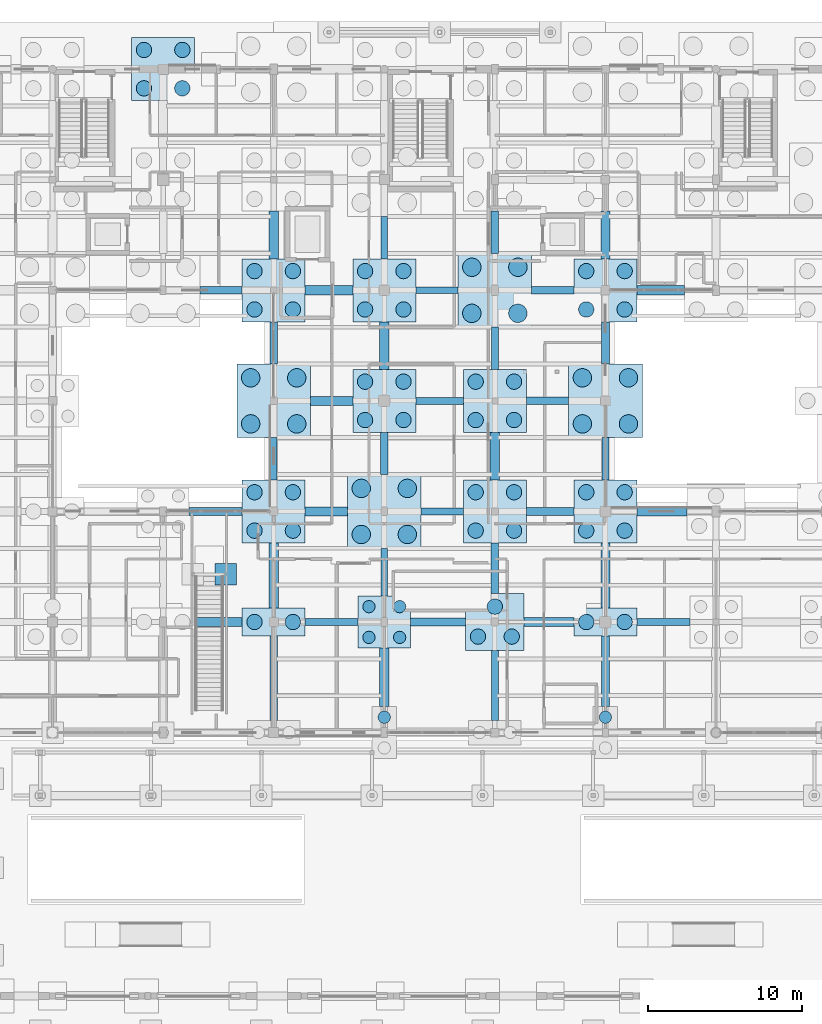
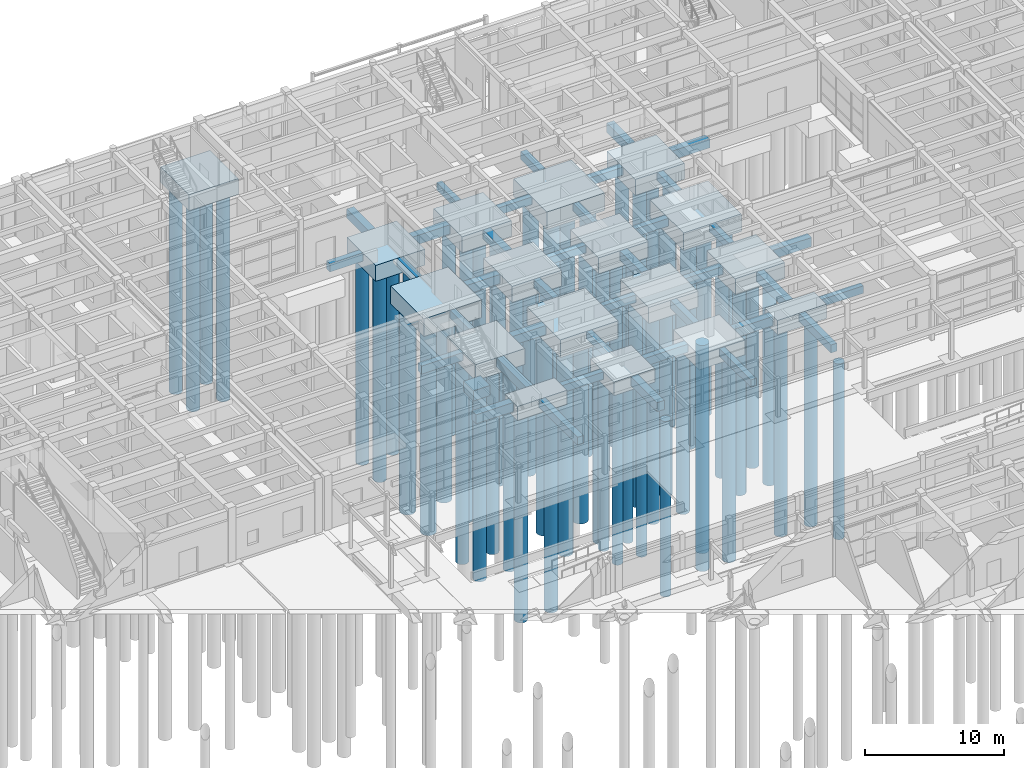
# One storey, part 8 of 143: 65 piles, 56 footings.
"""IFC4 building model written with IfcOpenShell, lengths in metres."""

import ifcopenshell
import ifcopenshell.guid

model = None  # the IFC model being written
_history = None  # IfcOwnerHistory: only IFC2X3 demands one
_inside = {}  # id of a spatial element -> (the spatial element, [elements in it])
_under = {}  # id of a project, library or spatial element -> (it, [spatial elements below it])
_declared = {}  # id of a project -> (the project, [libraries it declares])
_typed = {}  # id of a type object -> (the type object, [elements of that type])
_made_of = {}  # id of a material, layer set ... -> (it, [elements and type objects made of it])


def new_model(schema):
    """Start an empty IFC model of exactly this schema.

    Asked for "IFC4X3", IfcOpenShell would pick the latest addendum, in which some entities
    have other attributes; the version numbers below select the first issue.
    IFC2X3 requires an IfcOwnerHistory on every rooted entity: one is made here for all.
    """
    global model, _history
    if schema == "IFC4X3":
        model = ifcopenshell.file(schema_version=(4, 3, 0, 0))
    else:
        model = ifcopenshell.file(schema=schema)
    _inside.clear()
    _under.clear()
    _declared.clear()
    _typed.clear()
    _made_of.clear()
    _history = None
    if model.schema == "IFC2X3":
        org = make("IfcOrganization", Name="unknown")
        user = make(
            "IfcPersonAndOrganization",
            ThePerson=make("IfcPerson", FamilyName="unknown"),
            TheOrganization=org,
        )
        app = make(
            "IfcApplication",
            ApplicationDeveloper=org,
            Version="unknown",
            ApplicationFullName="unknown",
            ApplicationIdentifier="unknown",
        )
        _history = make(
            "IfcOwnerHistory",
            OwningUser=user,
            OwningApplication=app,
            ChangeAction="ADDED",
            CreationDate=0,
        )
    return model


def make(cls, **values):
    """One entity of the class cls with the attributes given. An attribute that is None is left unset."""
    return model.create_entity(
        cls, **{name: value for name, value in values.items() if value is not None}
    )


def rooted(cls, **values):
    """An entity with a GlobalId (a new one), such as an element, a storey or a relation."""
    return make(cls, GlobalId=ifcopenshell.guid.new(), OwnerHistory=_history, **values)


def si_unit(unit_type, name, prefix=None):
    """IfcSIUnit, for example si_unit("LENGTHUNIT", "METRE", prefix="MILLI")."""
    return make("IfcSIUnit", UnitType=unit_type, Prefix=prefix, Name=name)


def assignment(units):
    """IfcUnitAssignment: the units of a project."""
    return None if units is None else make("IfcUnitAssignment", Units=units)


def point(xyz):
    """IfcCartesianPoint."""
    return None if xyz is None else make("IfcCartesianPoint", Coordinates=xyz)


def direction(xyz):
    """IfcDirection."""
    return None if xyz is None else make("IfcDirection", DirectionRatios=xyz)


def frame(location, z_axis=None, x_axis=None):
    """IfcAxis2Placement3D, a coordinate frame: its origin and axes. An axis left out is left unset."""
    return make(
        "IfcAxis2Placement3D",
        Location=point(location),
        Axis=direction(z_axis),
        RefDirection=direction(x_axis),
    )


def frame_2d(location, x_axis=None):
    """IfcAxis2Placement2D, a coordinate frame in the plane: its origin and x axis."""
    return make(
        "IfcAxis2Placement2D", Location=point(location), RefDirection=direction(x_axis)
    )


def origin():
    """The frame at (0, 0, 0) with its axes left unset."""
    return frame((0.0, 0.0, 0.0))


def origin_2d():
    """The frame at (0, 0) in the plane with its x axis left unset."""
    return frame_2d((0.0, 0.0))


def place(relative_to, where):
    """IfcLocalPlacement: puts the frame where relative to a parent placement (None: the world)."""
    return make(
        "IfcLocalPlacement", PlacementRelTo=relative_to, RelativePlacement=where
    )


def context(
    kind, dimensions, precision=None, world=None, true_north=None, identifier=None
):
    """IfcGeometricRepresentationContext, for example the 3D "Model" context."""
    return make(
        "IfcGeometricRepresentationContext",
        ContextIdentifier=identifier,
        ContextType=kind,
        CoordinateSpaceDimension=dimensions,
        Precision=precision,
        WorldCoordinateSystem=world,
        TrueNorth=true_north,
    )


def subcontext(parent, identifier, kind, view, scale=None):
    """IfcGeometricRepresentationSubContext, for example "Body" below "Model"."""
    return make(
        "IfcGeometricRepresentationSubContext",
        ContextIdentifier=identifier,
        ContextType=kind,
        ParentContext=parent,
        TargetScale=scale,
        TargetView=view,
    )


def project(units=None, contexts=None):
    """IfcProject with its units and contexts."""
    return rooted(
        "IfcProject",
        Name="project",
        RepresentationContexts=contexts,
        UnitsInContext=assignment(units),
    )


def spatial(cls, under=None, at=None, **own):
    """A site, building, storey or space (cls), placed at a placement, below another one or the project."""
    s = rooted(cls, ObjectPlacement=at, **own)
    if under is not None:
        _under.setdefault(under.id(), (under, []))[1].append(s)
    return s


def profile(cls, at=None, kind="AREA", **sizes):
    """A parametric profile (cls). Its sizes go by their IFC names, for example OverallWidth=200.0."""
    return make(cls, ProfileType=kind, Position=at, **sizes)


def rectangle(**sizes):
    """IfcRectangleProfileDef."""
    return profile("IfcRectangleProfileDef", **sizes)


def circle(**sizes):
    """IfcCircleProfileDef."""
    return profile("IfcCircleProfileDef", **sizes)


def extrude(swept, where, along, depth):
    """IfcExtrudedAreaSolid: the profile swept, set in the frame where, extruded along a direction by depth."""
    return make(
        "IfcExtrudedAreaSolid",
        SweptArea=swept,
        Position=where,
        ExtrudedDirection=direction(along),
        Depth=depth,
    )


def shape(context_of_items, identifier, shape_type, items):
    """IfcShapeRepresentation: the items that make up one representation, for example the "Body"."""
    return make(
        "IfcShapeRepresentation",
        ContextOfItems=context_of_items,
        RepresentationIdentifier=identifier,
        RepresentationType=shape_type,
        Items=items,
    )


def material(Name=None, Category=None):
    """IfcMaterial."""
    return make("IfcMaterial", Name=Name, Category=Category)


def material_profile(
    of_material, cross_section, Name=None, Category=None, Priority=None
):
    """IfcMaterialProfile: a cross section and its material."""
    return make(
        "IfcMaterialProfile",
        Name=Name,
        Material=of_material,
        Profile=cross_section,
        Priority=Priority,
        Category=Category,
    )


def profile_set(profiles, Name=None, composite=None):
    """IfcMaterialProfileSet."""
    return make(
        "IfcMaterialProfileSet",
        Name=Name,
        MaterialProfiles=profiles,
        CompositeProfile=composite,
    )


def made_of(thing, what):
    """Note that an element or type object is made of a material, layer set ...; save() writes the relation."""
    if what is not None:
        _made_of.setdefault(what.id(), (what, []))[1].append(thing)
    return thing


def type_object(cls, material=None, **own):
    """A type object (cls), such as IfcWallType, which elements share."""
    return made_of(rooted(cls, **own), material)


def element(
    cls,
    number,
    at=None,
    inside=None,
    cuts=None,
    type_object=None,
    material=None,
    context=None,
    identifier="Body",
    shape_type=None,
    held_by="IfcProductDefinitionShape",
    body=None,
    shapes=None,
    **own,
):
    """One element of the class cls, such as IfcWall. Its Tag is "e" and its number.

    at: its placement. inside: the storey or other place that contains it. cuts: it is an
    opening in that element (IfcRelVoidsElement). A single representation is given by context,
    identifier, shape_type and body (its items); several are given by shapes. held_by: the class
    of the entity that holds the representations. save() writes the other relations.
    """
    e = rooted(cls, Tag="e%d" % number, ObjectPlacement=at, **own)
    if body is not None:
        shapes = [shape(context, identifier, shape_type, body)]
    if shapes is not None:
        e.Representation = make(held_by, Representations=shapes)
    if inside is not None:
        _inside.setdefault(inside.id(), (inside, []))[1].append(e)
    if cuts is not None:
        rooted(
            "IfcRelVoidsElement", RelatingBuildingElement=cuts, RelatedOpeningElement=e
        )
    if type_object is not None:
        _typed.setdefault(type_object.id(), (type_object, []))[1].append(e)
    return made_of(e, material)


def aggregate(whole, parts):
    """IfcRelAggregates: a whole, such as a stair, and the parts it consists of."""
    return rooted("IfcRelAggregates", RelatingObject=whole, RelatedObjects=parts)


def save(model, path):
    """Write the relations noted so far, then the file.

    IfcRelAggregates (storeys below a building ...), IfcRelContainedInSpatialStructure (elements
    in a storey), IfcRelDefinesByType, IfcRelAssociatesMaterial and IfcRelDeclares: one each for
    every whole, place, type object, material and project.
    """
    for whole, parts in _under.values():
        aggregate(whole, parts)
    for where, things in _inside.values():
        rooted(
            "IfcRelContainedInSpatialStructure",
            RelatedElements=things,
            RelatingStructure=where,
        )
    for kind, things in _typed.values():
        rooted("IfcRelDefinesByType", RelatedObjects=things, RelatingType=kind)
    for what, things in _made_of.values():
        rooted("IfcRelAssociatesMaterial", RelatedObjects=things, RelatingMaterial=what)
    for by, libraries in _declared.values():
        rooted("IfcRelDeclares", RelatingContext=by, RelatedDefinitions=libraries)
    model.write(path)


model = new_model("IFC4")

# Units and contexts
model_context = context("Model", 3, precision=1e-05, world=origin(), true_north=direction((0.0, 1.0)))
body_context = subcontext(model_context, "Body", "Model", "MODEL_VIEW")
ifc_project = project(units=[si_unit("LENGTHUNIT", "METRE"), si_unit("AREAUNIT", "SQUARE_METRE"), si_unit("VOLUMEUNIT", "CUBIC_METRE"), si_unit("PLANEANGLEUNIT", "RADIAN"), si_unit("MASSUNIT", "GRAM", prefix="KILO")], contexts=[model_context])

# Site, building, storey
site_placement = place(None, origin())
site = spatial("IfcSite", under=ifc_project, at=site_placement, CompositionType="ELEMENT")
building_placement = place(site_placement, origin())
building = spatial("IfcBuilding", under=site, at=building_placement, Name="Steenspoor Specialist Clinic", CompositionType="ELEMENT")
storey_placement = place(building_placement, origin())
storey = spatial("IfcBuildingStorey", under=building, at=storey_placement, Name="L00", CompositionType="ELEMENT", Elevation=0.0)

# Footings
ifc_material = material(Name="Concrete C35/45", Category="concrete")
footing_type_1 = type_object("IfcFootingType", Name="FTG-PC-1P-700", PredefinedType="PILE_CAP", material=ifc_material)
footing_1_placement = place(storey_placement, frame((70.875, 75.449951171875, -0.89990234375), z_axis=(0.0, 0.0, 1.0), x_axis=(1.0, 0.0, 0.0)))
element("IfcFooting", 1, at=footing_1_placement, inside=storey, type_object=footing_type_1, Name="Feature Stair Pad ST-F02 R", PredefinedType="PILE_CAP", context=body_context, shape_type="SweptSolid", body=[
    extrude(rectangle(XDim=1.39990234375, YDim=1.39990234375, at=origin_2d()), origin(), (0.0, 0.0, 1.0), 0.89990234375),
])
footing_type_2 = type_object("IfcFootingType", Name="FTG-PC-2P-1000", PredefinedType="PILE_CAP", material=ifc_material)
for number, where, z_axis, x_axis, name in (
    (2, (74.0, 72.35009765625, -1.25), (0.0, 0.0, 1.0), (1.0, 0.0, 0.0), "Pile Cap FTG-PC-121"),
    (3, (95.60009765625, 72.35009765625, -1.25), (0.0, 0.0, 1.0), (1.0, 0.0, 0.0), "Pile Cap FTG-PC-142"),
):
    element("IfcFooting", number, at=place(storey_placement, frame(where, z_axis=z_axis, x_axis=x_axis)), inside=storey, type_object=footing_type_2, Name=name, PredefinedType="PILE_CAP", context=body_context, shape_type="SweptSolid", body=[
        extrude(rectangle(XDim=4.10009765625, YDim=1.800048828125, at=origin_2d()), origin(), (0.0, 0.0, 1.0), 1.25),
    ])
footing_type_3 = type_object("IfcFootingType", Name="FTG-PC-3P-1000", PredefinedType="PILE_CAP", material=ifc_material)
footing_2_placement = place(storey_placement, frame((88.39990234375, 72.35009765625, -1.2998046875), z_axis=(0.0, 0.0, 1.0), x_axis=(1.0, 0.0, 0.0)))
element("IfcFooting", 4, at=footing_2_placement, inside=storey, type_object=footing_type_3, Name="Pile Cap FTG-PC-135", PredefinedType="PILE_CAP", context=body_context, shape_type="SweptSolid", body=[
    extrude(rectangle(XDim=3.800048828125, YDim=3.699951171875, at=origin_2d()), origin(), (0.0, 0.0, 1.0), 1.300048828125),
])
footing_type_4 = type_object("IfcFootingType", Name="FTG-PC-4P-1000", PredefinedType="PILE_CAP", material=ifc_material)
for number, where, z_axis, x_axis, name in (
    (5, (66.800048828125, 108.35009765625, -1.39990234375), (0.0, 0.0, 1.0), (1.0, 0.0, 0.0), "Pile Cap FTG-PC-119"),
    (6, (74.0, 79.550048828125, -1.39990234375), (0.0, 0.0, 1.0), (1.0, 0.0, 0.0), "Pile Cap FTG-PC-122"),
    (7, (74.0, 93.949951171875, -1.39990234375), (0.0, 0.0, 1.0), (1.0, 0.0, 0.0), "Pile Cap FTG-PC-124"),
    (8, (81.199951171875, 86.75, -1.39990234375), (0.0, 0.0, 1.0), (1.0, 0.0, 0.0), "Pile Cap FTG-PC-130"),
    (9, (81.199951171875, 93.949951171875, -1.39990234375), (0.0, 0.0, 1.0), (1.0, 0.0, 0.0), "Pile Cap FTG-PC-131"),
    (10, (88.39990234375, 79.550048828125, -1.39990234375), (0.0, 0.0, 1.0), (1.0, 0.0, 0.0), "Pile Cap FTG-PC-136"),
    (11, (88.39990234375, 86.75, -1.39990234375), (0.0, 0.0, 1.0), (1.0, 0.0, 0.0), "Pile Cap FTG-PC-137"),
    (12, (95.60009765625, 79.550048828125, -1.39990234375), (0.0, 0.0, 1.0), (1.0, 0.0, 0.0), "Pile Cap FTG-PC-143"),
    (13, (95.60009765625, 93.949951171875, -1.39990234375), (0.0, 0.0, 1.0), (1.0, 0.0, 0.0), "Pile Cap FTG-PC-145"),
):
    element("IfcFooting", number, at=place(storey_placement, frame(where, z_axis=z_axis, x_axis=x_axis)), inside=storey, type_object=footing_type_4, Name=name, PredefinedType="PILE_CAP", context=body_context, shape_type="SweptSolid", body=[
        extrude(rectangle(XDim=4.10009765625, YDim=4.10009765625, at=origin_2d()), origin(), (0.0, 0.0, 1.0), 1.39990234375),
    ])
footing_type_5 = type_object("IfcFootingType", Name="FTG-PC-4P-1200", PredefinedType="PILE_CAP", material=ifc_material)
for number, where, z_axis, x_axis, name in (
    (14, (74.0, 86.75, -1.5498046875), (0.0, 0.0, 1.0), (1.0, 0.0, 0.0), "Pile Cap FTG-PC-123"),
    (15, (81.199951171875, 79.550048828125, -1.5498046875), (0.0, 0.0, 1.0), (1.0, 0.0, 0.0), "Pile Cap FTG-PC-129"),
    (16, (88.39990234375, 93.949951171875, -1.5498046875), (0.0, 0.0, 1.0), (1.0, 0.0, 0.0), "Pile Cap FTG-PC-138"),
    (17, (95.60009765625, 86.75, -1.5498046875), (0.0, 0.0, 1.0), (1.0, 0.0, 0.0), "Pile Cap FTG-PC-144"),
):
    element("IfcFooting", number, at=place(storey_placement, frame(where, z_axis=z_axis, x_axis=x_axis)), inside=storey, type_object=footing_type_5, Name=name, PredefinedType="PILE_CAP", context=body_context, shape_type="SweptSolid", body=[
        extrude(rectangle(XDim=4.800048828125, YDim=4.800048828125, at=origin_2d()), origin(), (0.0, 0.0, 1.0), 1.550048828125),
    ])
footing_type_6 = type_object("IfcFootingType", Name="FTG-PC-4P-800", PredefinedType="PILE_CAP", material=ifc_material)
footing_3_placement = place(storey_placement, frame((81.199951171875, 72.35009765625, -1.2001953125), z_axis=(0.0, 0.0, 1.0), x_axis=(1.0, 0.0, 0.0)))
element("IfcFooting", 18, at=footing_3_placement, inside=storey, type_object=footing_type_6, Name="Pile Cap FTG-PC-128", PredefinedType="PILE_CAP", context=body_context, shape_type="SweptSolid", body=[
    extrude(rectangle(XDim=3.39990234375, YDim=3.39990234375, at=origin_2d()), origin(), (0.0, 0.0, 1.0), 1.199951171875),
])
footing_type_7 = type_object("IfcFootingType", Name="FTG-TB-450X650", PredefinedType="FOOTING_BEAM", material=ifc_material)
for number, where, z_axis, x_axis, name in (
    (19, (77.77490234375, 72.35009765625, -0.64990234375), (0.0, 0.0, 1.0), (1.0, 0.0, 0.0), "Seismic Tie Beam FTG-TB-158"),
    (20, (99.375, 72.35009765625, -0.64990234375), (0.0, 0.0, 1.0), (1.0, 0.0, 0.0), "Seismic Tie Beam FTG-TB-161"),
):
    element("IfcFooting", number, at=place(storey_placement, frame(where, z_axis=z_axis, x_axis=x_axis)), inside=storey, type_object=footing_type_7, Name=name, PredefinedType="FOOTING_BEAM", context=body_context, shape_type="SweptSolid", body=[
        extrude(rectangle(XDim=3.449951171875, YDim=0.449951171875, at=origin_2d()), origin(), (0.0, 0.0, 1.0), 0.64990234375),
    ])
footing_4_placement = place(storey_placement, frame((84.97509765625, 79.550048828125, -0.64990234375), z_axis=(0.0, 0.0, 1.0), x_axis=(1.0, 0.0, 0.0)))
element("IfcFooting", 21, at=footing_4_placement, inside=storey, type_object=footing_type_7, Name="Seismic Tie Beam FTG-TB-179", PredefinedType="FOOTING_BEAM", context=body_context, shape_type="SweptSolid", body=[
    extrude(rectangle(XDim=2.75, YDim=0.449951171875, at=origin_2d()), origin(), (0.0, 0.0, 1.0), 0.64990234375),
])
footing_5_placement = place(storey_placement, frame((84.800048828125, 86.75, -0.64990234375), z_axis=(0.0, 0.0, 1.0), x_axis=(1.0, 0.0, 0.0)))
element("IfcFooting", 22, at=footing_5_placement, inside=storey, type_object=footing_type_7, Name="Seismic Tie Beam FTG-TB-197", PredefinedType="FOOTING_BEAM", context=body_context, shape_type="SweptSolid", body=[
    extrude(rectangle(XDim=3.10009765625, YDim=0.449951171875, at=origin_2d()), origin(), (0.0, 0.0, 1.0), 0.64990234375),
])
footing_6_placement = place(storey_placement, frame((84.625, 93.949951171875, -0.64990234375), z_axis=(0.0, 0.0, 1.0), x_axis=(1.0, 0.0, 0.0)))
element("IfcFooting", 23, at=footing_6_placement, inside=storey, type_object=footing_type_7, Name="Seismic Tie Beam FTG-TB-215", PredefinedType="FOOTING_BEAM", context=body_context, shape_type="SweptSolid", body=[
    extrude(rectangle(XDim=2.75, YDim=0.449951171875, at=origin_2d()), origin(), (0.0, 0.0, 1.0), 0.64990234375),
])
footing_7_placement = place(storey_placement, frame((74.0, 82.97509765625, -0.64990234375), z_axis=(0.0, 0.0, 1.0), x_axis=(1.0, 0.0, 0.0)))
element("IfcFooting", 24, at=footing_7_placement, inside=storey, type_object=footing_type_7, Name="Seismic Tie Beam FTG-TB-353", PredefinedType="FOOTING_BEAM", context=body_context, shape_type="SweptSolid", body=[
    extrude(rectangle(XDim=0.449951171875, YDim=2.75, at=origin_2d()), origin(), (0.0, 0.0, 1.0), 0.64990234375),
])
footing_8_placement = place(storey_placement, frame((81.199951171875, 75.60009765625, -0.64990234375), z_axis=(0.0, 0.0, 1.0), x_axis=(1.0, 0.0, 0.0)))
element("IfcFooting", 25, at=footing_8_placement, inside=storey, type_object=footing_type_7, Name="Seismic Tie Beam FTG-TB-362", PredefinedType="FOOTING_BEAM", context=body_context, shape_type="SweptSolid", body=[
    extrude(rectangle(XDim=0.449951171875, YDim=3.10009765625, at=origin_2d()), origin(), (0.0, 0.0, 1.0), 0.64990234375),
])
footing_9_placement = place(storey_placement, frame((81.199951171875, 97.375, -0.64990234375), z_axis=(0.0, 0.0, 1.0), x_axis=(1.0, 0.0, 0.0)))
element("IfcFooting", 26, at=footing_9_placement, inside=storey, type_object=footing_type_7, Name="Seismic Tie Beam FTG-TB-365", PredefinedType="FOOTING_BEAM", context=body_context, shape_type="SweptSolid", body=[
    extrude(rectangle(XDim=0.449951171875, YDim=2.75, at=origin_2d()), origin(), (0.0, 0.0, 1.0), 0.64990234375),
])
footing_10_placement = place(storey_placement, frame((88.39990234375, 68.22509765625, -0.64990234375), z_axis=(0.0, 0.0, 1.0), x_axis=(1.0, 0.0, 0.0)))
element("IfcFooting", 27, at=footing_10_placement, inside=storey, type_object=footing_type_7, Name="Seismic Tie Beam FTG-TB-371", PredefinedType="FOOTING_BEAM", context=body_context, shape_type="SweptSolid", body=[
    extrude(rectangle(XDim=0.449951171875, YDim=4.550048828125, at=origin_2d()), origin(), (0.0, 0.0, 1.0), 0.64990234375),
])
for number, where, z_axis, x_axis, name in (
    (28, (88.39990234375, 90.175048828125, -0.64990234375), (0.0, 0.0, 1.0), (1.0, 0.0, 0.0), "Seismic Tie Beam FTG-TB-374"),
    (29, (95.60009765625, 82.97509765625, -0.64990234375), (0.0, 0.0, 1.0), (1.0, 0.0, 0.0), "Seismic Tie Beam FTG-TB-383"),
):
    element("IfcFooting", number, at=place(storey_placement, frame(where, z_axis=z_axis, x_axis=x_axis)), inside=storey, type_object=footing_type_7, Name=name, PredefinedType="FOOTING_BEAM", context=body_context, shape_type="SweptSolid", body=[
        extrude(rectangle(XDim=0.449951171875, YDim=2.75, at=origin_2d()), origin(), (0.0, 0.0, 1.0), 0.64990234375),
    ])
footing_type_8 = type_object("IfcFootingType", Name="FTG-TB-500X700", PredefinedType="FOOTING_BEAM", material=ifc_material)
footing_11_placement = place(storey_placement, frame((84.699951171875, 72.35009765625, -0.7001953125), z_axis=(0.0, 0.0, 1.0), x_axis=(1.0, 0.0, 0.0)))
element("IfcFooting", 30, at=footing_11_placement, inside=storey, type_object=footing_type_8, Name="Seismic Tie Beam FTG-TB-159", PredefinedType="FOOTING_BEAM", context=body_context, shape_type="SweptSolid", body=[
    extrude(rectangle(XDim=3.60009765625, YDim=0.5, at=origin_2d()), origin(), (0.0, 0.0, 1.0), 0.699951171875),
])
footing_12_placement = place(storey_placement, frame((70.22509765625, 79.550048828125, -0.7001953125), z_axis=(0.0, 0.0, 1.0), x_axis=(1.0, 0.0, 0.0)))
element("IfcFooting", 31, at=footing_12_placement, inside=storey, type_object=footing_type_8, Name="Seismic Tie Beam FTG-TB-177", PredefinedType="FOOTING_BEAM", context=body_context, shape_type="SweptSolid", body=[
    extrude(rectangle(XDim=3.449951171875, YDim=0.5, at=origin_2d()), origin(), (0.0, 0.0, 1.0), 0.699951171875),
])
footing_13_placement = place(storey_placement, frame((92.0, 79.550048828125, -0.7001953125), z_axis=(0.0, 0.0, 1.0), x_axis=(1.0, 0.0, 0.0)))
element("IfcFooting", 32, at=footing_13_placement, inside=storey, type_object=footing_type_8, Name="Seismic Tie Beam FTG-TB-180", PredefinedType="FOOTING_BEAM", context=body_context, shape_type="SweptSolid", body=[
    extrude(rectangle(XDim=3.10009765625, YDim=0.5, at=origin_2d()), origin(), (0.0, 0.0, 1.0), 0.699951171875),
])
for number, where, z_axis, x_axis, name in (
    (33, (91.824951171875, 86.75, -0.7001953125), (0.0, 0.0, 1.0), (1.0, 0.0, 0.0), "Seismic Tie Beam FTG-TB-198"),
    (34, (70.574951171875, 93.949951171875, -0.7001953125), (0.0, 0.0, 1.0), (1.0, 0.0, 0.0), "Seismic Tie Beam FTG-TB-213"),
    (35, (92.175048828125, 93.949951171875, -0.7001953125), (0.0, 0.0, 1.0), (1.0, 0.0, 0.0), "Seismic Tie Beam FTG-TB-216"),
):
    element("IfcFooting", number, at=place(storey_placement, frame(where, z_axis=z_axis, x_axis=x_axis)), inside=storey, type_object=footing_type_8, Name=name, PredefinedType="FOOTING_BEAM", context=body_context, shape_type="SweptSolid", body=[
        extrude(rectangle(XDim=2.75, YDim=0.5, at=origin_2d()), origin(), (0.0, 0.0, 1.0), 0.699951171875),
    ])
footing_14_placement = place(storey_placement, frame((74.0, 68.699951171875, -0.7001953125), z_axis=(0.0, 0.0, 1.0), x_axis=(1.0, 0.0, 0.0)))
element("IfcFooting", 36, at=footing_14_placement, inside=storey, type_object=footing_type_8, Name="Seismic Tie Beam FTG-TB-351", PredefinedType="FOOTING_BEAM", context=body_context, shape_type="SweptSolid", body=[
    extrude(rectangle(XDim=0.5, YDim=5.5, at=origin_2d()), origin(), (0.0, 0.0, 1.0), 0.699951171875),
])
for number, where, z_axis, x_axis, name in (
    (37, (74.0, 90.52490234375, -0.7001953125), (0.0, 0.0, 1.0), (1.0, 0.0, 0.0), "Seismic Tie Beam FTG-TB-354"),
    (38, (81.199951171875, 83.324951171875, -0.7001953125), (0.0, 0.0, 1.0), (1.0, 0.0, 0.0), "Seismic Tie Beam FTG-TB-363"),
):
    element("IfcFooting", number, at=place(storey_placement, frame(where, z_axis=z_axis, x_axis=x_axis)), inside=storey, type_object=footing_type_8, Name=name, PredefinedType="FOOTING_BEAM", context=body_context, shape_type="SweptSolid", body=[
        extrude(rectangle(XDim=0.5, YDim=2.75, at=origin_2d()), origin(), (0.0, 0.0, 1.0), 0.699951171875),
    ])
footing_15_placement = place(storey_placement, frame((88.39990234375, 75.85009765625, -0.7001953125), z_axis=(0.0, 0.0, 1.0), x_axis=(1.0, 0.0, 0.0)))
element("IfcFooting", 39, at=footing_15_placement, inside=storey, type_object=footing_type_8, Name="Seismic Tie Beam FTG-TB-372", PredefinedType="FOOTING_BEAM", context=body_context, shape_type="SweptSolid", body=[
    extrude(rectangle(XDim=0.5, YDim=3.300048828125, at=origin_2d()), origin(), (0.0, 0.0, 1.0), 0.699951171875),
])
footing_16_placement = place(storey_placement, frame((88.39990234375, 97.72509765625, -0.7001953125), z_axis=(0.0, 0.0, 1.0), x_axis=(1.0, 0.0, 0.0)))
element("IfcFooting", 40, at=footing_16_placement, inside=storey, type_object=footing_type_8, Name="Seismic Tie Beam FTG-TB-375", PredefinedType="FOOTING_BEAM", context=body_context, shape_type="SweptSolid", body=[
    extrude(rectangle(XDim=0.5, YDim=2.75, at=origin_2d()), origin(), (0.0, 0.0, 1.0), 0.699951171875),
])
footing_17_placement = place(storey_placement, frame((95.60009765625, 69.14990234375, -0.7001953125), z_axis=(0.0, 0.0, 1.0), x_axis=(1.0, 0.0, 0.0)))
element("IfcFooting", 41, at=footing_17_placement, inside=storey, type_object=footing_type_8, Name="Seismic Tie Beam FTG-TB-381", PredefinedType="FOOTING_BEAM", context=body_context, shape_type="SweptSolid", body=[
    extrude(rectangle(XDim=0.5, YDim=4.60009765625, at=origin_2d()), origin(), (0.0, 0.0, 1.0), 0.699951171875),
])
footing_18_placement = place(storey_placement, frame((95.60009765625, 90.52490234375, -0.7001953125), z_axis=(0.0, 0.0, 1.0), x_axis=(1.0, 0.0, 0.0)))
element("IfcFooting", 42, at=footing_18_placement, inside=storey, type_object=footing_type_8, Name="Seismic Tie Beam FTG-TB-384", PredefinedType="FOOTING_BEAM", context=body_context, shape_type="SweptSolid", body=[
    extrude(rectangle(XDim=0.5, YDim=2.75, at=origin_2d()), origin(), (0.0, 0.0, 1.0), 0.699951171875),
])
footing_type_9 = type_object("IfcFootingType", Name="FTG-TB-600X800", PredefinedType="FOOTING_BEAM", material=ifc_material)
footing_19_placement = place(storey_placement, frame((70.39990234375, 72.35009765625, -0.7998046875), z_axis=(0.0, 0.0, 1.0), x_axis=(1.0, 0.0, 0.0)))
element("IfcFooting", 43, at=footing_19_placement, inside=storey, type_object=footing_type_9, Name="Seismic Tie Beam FTG-TB-157", PredefinedType="FOOTING_BEAM", context=body_context, shape_type="SweptSolid", body=[
    extrude(rectangle(XDim=3.10009765625, YDim=0.60009765625, at=origin_2d()), origin(), (0.0, 0.0, 1.0), 0.800048828125),
])
footing_20_placement = place(storey_placement, frame((91.925048828125, 72.35009765625, -0.7998046875), z_axis=(0.0, 0.0, 1.0), x_axis=(1.0, 0.0, 0.0)))
element("IfcFooting", 44, at=footing_20_placement, inside=storey, type_object=footing_type_9, Name="Seismic Tie Beam FTG-TB-160", PredefinedType="FOOTING_BEAM", context=body_context, shape_type="SweptSolid", body=[
    extrude(rectangle(XDim=3.25, YDim=0.60009765625, at=origin_2d()), origin(), (0.0, 0.0, 1.0), 0.800048828125),
])
footing_21_placement = place(storey_placement, frame((77.425048828125, 79.550048828125, -0.7998046875), z_axis=(0.0, 0.0, 1.0), x_axis=(1.0, 0.0, 0.0)))
element("IfcFooting", 45, at=footing_21_placement, inside=storey, type_object=footing_type_9, Name="Seismic Tie Beam FTG-TB-178", PredefinedType="FOOTING_BEAM", context=body_context, shape_type="SweptSolid", body=[
    extrude(rectangle(XDim=2.75, YDim=0.60009765625, at=origin_2d()), origin(), (0.0, 0.0, 1.0), 0.800048828125),
])
footing_22_placement = place(storey_placement, frame((99.27490234375, 79.550048828125, -0.7998046875), z_axis=(0.0, 0.0, 1.0), x_axis=(1.0, 0.0, 0.0)))
element("IfcFooting", 46, at=footing_22_placement, inside=storey, type_object=footing_type_9, Name="Seismic Tie Beam FTG-TB-181", PredefinedType="FOOTING_BEAM", context=body_context, shape_type="SweptSolid", body=[
    extrude(rectangle(XDim=3.25, YDim=0.60009765625, at=origin_2d()), origin(), (0.0, 0.0, 1.0), 0.800048828125),
])
footing_23_placement = place(storey_placement, frame((77.77490234375, 86.75, -0.7998046875), z_axis=(0.0, 0.0, 1.0), x_axis=(1.0, 0.0, 0.0)))
element("IfcFooting", 47, at=footing_23_placement, inside=storey, type_object=footing_type_9, Name="Seismic Tie Beam FTG-TB-196", PredefinedType="FOOTING_BEAM", context=body_context, shape_type="SweptSolid", body=[
    extrude(rectangle(XDim=2.75, YDim=0.60009765625, at=origin_2d()), origin(), (0.0, 0.0, 1.0), 0.800048828125),
])
for number, where, z_axis, x_axis, name in (
    (48, (77.60009765625, 93.949951171875, -0.7998046875), (0.0, 0.0, 1.0), (1.0, 0.0, 0.0), "Seismic Tie Beam FTG-TB-214"),
    (49, (99.199951171875, 93.949951171875, -0.7998046875), (0.0, 0.0, 1.0), (1.0, 0.0, 0.0), "Seismic Tie Beam FTG-TB-217"),
):
    element("IfcFooting", number, at=place(storey_placement, frame(where, z_axis=z_axis, x_axis=x_axis)), inside=storey, type_object=footing_type_9, Name=name, PredefinedType="FOOTING_BEAM", context=body_context, shape_type="SweptSolid", body=[
        extrude(rectangle(XDim=3.10009765625, YDim=0.60009765625, at=origin_2d()), origin(), (0.0, 0.0, 1.0), 0.800048828125),
    ])
footing_24_placement = place(storey_placement, frame((74.0, 75.375, -0.7998046875), z_axis=(0.0, 0.0, 1.0), x_axis=(1.0, 0.0, 0.0)))
element("IfcFooting", 50, at=footing_24_placement, inside=storey, type_object=footing_type_9, Name="Seismic Tie Beam FTG-TB-352", PredefinedType="FOOTING_BEAM", context=body_context, shape_type="SweptSolid", body=[
    extrude(rectangle(XDim=0.60009765625, YDim=4.25, at=origin_2d()), origin(), (0.0, 0.0, 1.0), 0.800048828125),
])
footing_25_placement = place(storey_placement, frame((74.0, 97.550048828125, -0.7998046875), z_axis=(0.0, 0.0, 1.0), x_axis=(1.0, 0.0, 0.0)))
element("IfcFooting", 51, at=footing_25_placement, inside=storey, type_object=footing_type_9, Name="Seismic Tie Beam FTG-TB-355", PredefinedType="FOOTING_BEAM", context=body_context, shape_type="SweptSolid", body=[
    extrude(rectangle(XDim=0.60009765625, YDim=3.10009765625, at=origin_2d()), origin(), (0.0, 0.0, 1.0), 0.800048828125),
])
footing_26_placement = place(storey_placement, frame((81.199951171875, 68.75, -0.7998046875), z_axis=(0.0, 0.0, 1.0), x_axis=(1.0, 0.0, 0.0)))
element("IfcFooting", 52, at=footing_26_placement, inside=storey, type_object=footing_type_9, Name="Seismic Tie Beam FTG-TB-361", PredefinedType="FOOTING_BEAM", context=body_context, shape_type="SweptSolid", body=[
    extrude(rectangle(XDim=0.60009765625, YDim=3.800048828125, at=origin_2d()), origin(), (0.0, 0.0, 1.0), 0.800048828125),
])
for number, where, z_axis, x_axis, name in (
    (53, (81.199951171875, 90.35009765625, -0.7998046875), (0.0, 0.0, 1.0), (1.0, 0.0, 0.0), "Seismic Tie Beam FTG-TB-364"),
    (54, (88.39990234375, 83.14990234375, -0.7998046875), (0.0, 0.0, 1.0), (1.0, 0.0, 0.0), "Seismic Tie Beam FTG-TB-373"),
):
    element("IfcFooting", number, at=place(storey_placement, frame(where, z_axis=z_axis, x_axis=x_axis)), inside=storey, type_object=footing_type_9, Name=name, PredefinedType="FOOTING_BEAM", context=body_context, shape_type="SweptSolid", body=[
        extrude(rectangle(XDim=0.60009765625, YDim=3.10009765625, at=origin_2d()), origin(), (0.0, 0.0, 1.0), 0.800048828125),
    ])
footing_27_placement = place(storey_placement, frame((95.60009765625, 75.375, -0.7998046875), z_axis=(0.0, 0.0, 1.0), x_axis=(1.0, 0.0, 0.0)))
element("IfcFooting", 55, at=footing_27_placement, inside=storey, type_object=footing_type_9, Name="Seismic Tie Beam FTG-TB-382", PredefinedType="FOOTING_BEAM", context=body_context, shape_type="SweptSolid", body=[
    extrude(rectangle(XDim=0.60009765625, YDim=4.25, at=origin_2d()), origin(), (0.0, 0.0, 1.0), 0.800048828125),
])
footing_28_placement = place(storey_placement, frame((95.60009765625, 97.550048828125, -0.7998046875), z_axis=(0.0, 0.0, 1.0), x_axis=(1.0, 0.0, 0.0)))
element("IfcFooting", 56, at=footing_28_placement, inside=storey, type_object=footing_type_9, Name="Seismic Tie Beam FTG-TB-385", PredefinedType="FOOTING_BEAM", context=body_context, shape_type="SweptSolid", body=[
    extrude(rectangle(XDim=0.60009765625, YDim=3.10009765625, at=origin_2d()), origin(), (0.0, 0.0, 1.0), 0.800048828125),
])

# Piles
ifc_material_profile_1 = material_profile(ifc_material, circle(Radius=0.5, at=origin_2d()), Name="PILE-D1000")
ifc_profile_set_1 = profile_set([ifc_material_profile_1], Name="Concrete C35/45")
pile_type_1 = type_object("IfcPileType", Name="PILE-RC-D1000", PredefinedType="BORED", material=ifc_profile_set_1)
for number, where, z_axis, x_axis, name in (
    (57, (65.550048828125, 107.10009765625, -1.300048828125), (0.0, 0.0, -1.0), (1.0, 0.0, 0.0), "Bored Pile PILE-0245"),
    (58, (68.050048828125, 107.10009765625, -1.300048828125), (0.0, 0.0, -1.0), (1.0, 0.0, 0.0), "Bored Pile PILE-0246"),
    (59, (65.550048828125, 109.60009765625, -1.300048828125), (0.0, 0.0, -1.0), (1.0, 0.0, 0.0), "Bored Pile PILE-0247"),
    (60, (68.050048828125, 109.60009765625, -1.300048828125), (0.0, 0.0, -1.0), (1.0, 0.0, 0.0), "Bored Pile PILE-0248"),
):
    element("IfcPile", number, at=place(storey_placement, frame(where, z_axis=z_axis, x_axis=x_axis)), inside=storey, type_object=pile_type_1, Name=name, PredefinedType="BORED", context=body_context, shape_type="SweptSolid", body=[
        extrude(circle(Radius=0.5, at=origin_2d()), origin(), (0.0, 0.0, 1.0), 18.199951171875),
    ])
for number, where, z_axis, x_axis, name in (
    (61, (72.75, 72.35009765625, -1.14990234375), (0.0, 0.0, -1.0), (1.0, 0.0, 0.0), "Bored Pile PILE-0251"),
    (62, (75.25, 72.35009765625, -1.14990234375), (0.0, 0.0, -1.0), (1.0, 0.0, 0.0), "Bored Pile PILE-0252"),
):
    element("IfcPile", number, at=place(storey_placement, frame(where, z_axis=z_axis, x_axis=x_axis)), inside=storey, type_object=pile_type_1, Name=name, PredefinedType="BORED", context=body_context, shape_type="SweptSolid", body=[
        extrude(circle(Radius=0.5, at=origin_2d()), origin(), (0.0, 0.0, 1.0), 18.35009765625),
    ])
for number, where, z_axis, x_axis, name in (
    (63, (72.75, 78.300048828125, -1.300048828125), (0.0, 0.0, -1.0), (1.0, 0.0, 0.0), "Bored Pile PILE-0253"),
    (64, (75.25, 78.300048828125, -1.300048828125), (0.0, 0.0, -1.0), (1.0, 0.0, 0.0), "Bored Pile PILE-0254"),
    (65, (72.75, 80.800048828125, -1.300048828125), (0.0, 0.0, -1.0), (1.0, 0.0, 0.0), "Bored Pile PILE-0255"),
    (66, (75.25, 80.800048828125, -1.300048828125), (0.0, 0.0, -1.0), (1.0, 0.0, 0.0), "Bored Pile PILE-0256"),
    (67, (72.75, 92.699951171875, -1.300048828125), (0.0, 0.0, -1.0), (1.0, 0.0, 0.0), "Bored Pile PILE-0261"),
    (68, (75.25, 92.699951171875, -1.300048828125), (0.0, 0.0, -1.0), (1.0, 0.0, 0.0), "Bored Pile PILE-0262"),
    (69, (72.75, 95.199951171875, -1.300048828125), (0.0, 0.0, -1.0), (1.0, 0.0, 0.0), "Bored Pile PILE-0263"),
    (70, (75.25, 95.199951171875, -1.300048828125), (0.0, 0.0, -1.0), (1.0, 0.0, 0.0), "Bored Pile PILE-0264"),
    (71, (79.949951171875, 85.5, -1.300048828125), (0.0, 0.0, -1.0), (1.0, 0.0, 0.0), "Bored Pile PILE-0283"),
    (72, (82.449951171875, 85.5, -1.300048828125), (0.0, 0.0, -1.0), (1.0, 0.0, 0.0), "Bored Pile PILE-0284"),
    (73, (79.949951171875, 88.0, -1.300048828125), (0.0, 0.0, -1.0), (1.0, 0.0, 0.0), "Bored Pile PILE-0285"),
    (74, (82.449951171875, 88.0, -1.300048828125), (0.0, 0.0, -1.0), (1.0, 0.0, 0.0), "Bored Pile PILE-0286"),
    (75, (79.949951171875, 92.699951171875, -1.300048828125), (0.0, 0.0, -1.0), (1.0, 0.0, 0.0), "Bored Pile PILE-0287"),
    (76, (82.449951171875, 92.699951171875, -1.300048828125), (0.0, 0.0, -1.0), (1.0, 0.0, 0.0), "Bored Pile PILE-0288"),
    (77, (79.949951171875, 95.199951171875, -1.300048828125), (0.0, 0.0, -1.0), (1.0, 0.0, 0.0), "Bored Pile PILE-0289"),
    (78, (82.449951171875, 95.199951171875, -1.300048828125), (0.0, 0.0, -1.0), (1.0, 0.0, 0.0), "Bored Pile PILE-0290"),
):
    element("IfcPile", number, at=place(storey_placement, frame(where, z_axis=z_axis, x_axis=x_axis)), inside=storey, type_object=pile_type_1, Name=name, PredefinedType="BORED", context=body_context, shape_type="SweptSolid", body=[
        extrude(circle(Radius=0.5, at=origin_2d()), origin(), (0.0, 0.0, 1.0), 18.199951171875),
    ])
for number, where, z_axis, x_axis, name in (
    (79, (87.300048828125, 71.39990234375, -1.199951171875), (0.0, 0.0, -1.0), (1.0, 0.0, 0.0), "Bored Pile PILE-0301"),
    (80, (89.5, 71.39990234375, -1.199951171875), (0.0, 0.0, -1.0), (1.0, 0.0, 0.0), "Bored Pile PILE-0302"),
    (81, (88.39990234375, 73.35009765625, -1.199951171875), (0.0, 0.0, -1.0), (1.0, 0.0, 0.0), "Bored Pile PILE-0303"),
):
    element("IfcPile", number, at=place(storey_placement, frame(where, z_axis=z_axis, x_axis=x_axis)), inside=storey, type_object=pile_type_1, Name=name, PredefinedType="BORED", context=body_context, shape_type="SweptSolid", body=[
        extrude(circle(Radius=0.5, at=origin_2d()), origin(), (0.0, 0.0, 1.0), 18.300048828125),
    ])
for number, where, z_axis, x_axis, name in (
    (82, (87.14990234375, 78.300048828125, -1.300048828125), (0.0, 0.0, -1.0), (1.0, 0.0, 0.0), "Bored Pile PILE-0304"),
    (83, (89.64990234375, 78.300048828125, -1.300048828125), (0.0, 0.0, -1.0), (1.0, 0.0, 0.0), "Bored Pile PILE-0305"),
    (84, (87.14990234375, 80.800048828125, -1.300048828125), (0.0, 0.0, -1.0), (1.0, 0.0, 0.0), "Bored Pile PILE-0306"),
    (85, (89.64990234375, 80.800048828125, -1.300048828125), (0.0, 0.0, -1.0), (1.0, 0.0, 0.0), "Bored Pile PILE-0307"),
    (86, (87.14990234375, 85.5, -1.300048828125), (0.0, 0.0, -1.0), (1.0, 0.0, 0.0), "Bored Pile PILE-0308"),
    (87, (89.64990234375, 85.5, -1.300048828125), (0.0, 0.0, -1.0), (1.0, 0.0, 0.0), "Bored Pile PILE-0309"),
    (88, (87.14990234375, 88.0, -1.300048828125), (0.0, 0.0, -1.0), (1.0, 0.0, 0.0), "Bored Pile PILE-0310"),
    (89, (89.64990234375, 88.0, -1.300048828125), (0.0, 0.0, -1.0), (1.0, 0.0, 0.0), "Bored Pile PILE-0311"),
):
    element("IfcPile", number, at=place(storey_placement, frame(where, z_axis=z_axis, x_axis=x_axis)), inside=storey, type_object=pile_type_1, Name=name, PredefinedType="BORED", context=body_context, shape_type="SweptSolid", body=[
        extrude(circle(Radius=0.5, at=origin_2d()), origin(), (0.0, 0.0, 1.0), 18.199951171875),
    ])
for number, where, z_axis, x_axis, name in (
    (90, (94.35009765625, 72.35009765625, -1.14990234375), (0.0, 0.0, -1.0), (1.0, 0.0, 0.0), "Bored Pile PILE-0326"),
    (91, (96.85009765625, 72.35009765625, -1.14990234375), (0.0, 0.0, -1.0), (1.0, 0.0, 0.0), "Bored Pile PILE-0327"),
):
    element("IfcPile", number, at=place(storey_placement, frame(where, z_axis=z_axis, x_axis=x_axis)), inside=storey, type_object=pile_type_1, Name=name, PredefinedType="BORED", context=body_context, shape_type="SweptSolid", body=[
        extrude(circle(Radius=0.5, at=origin_2d()), origin(), (0.0, 0.0, 1.0), 18.35009765625),
    ])
for number, where, z_axis, x_axis, name in (
    (92, (94.35009765625, 78.300048828125, -1.300048828125), (0.0, 0.0, -1.0), (1.0, 0.0, 0.0), "Bored Pile PILE-0328"),
    (93, (96.85009765625, 78.300048828125, -1.300048828125), (0.0, 0.0, -1.0), (1.0, 0.0, 0.0), "Bored Pile PILE-0329"),
    (94, (94.35009765625, 80.800048828125, -1.300048828125), (0.0, 0.0, -1.0), (1.0, 0.0, 0.0), "Bored Pile PILE-0330"),
    (95, (96.85009765625, 80.800048828125, -1.300048828125), (0.0, 0.0, -1.0), (1.0, 0.0, 0.0), "Bored Pile PILE-0331"),
    (96, (94.35009765625, 92.699951171875, -1.300048828125), (0.0, 0.0, -1.0), (1.0, 0.0, 0.0), "Bored Pile PILE-0336"),
    (97, (96.85009765625, 92.699951171875, -1.300048828125), (0.0, 0.0, -1.0), (1.0, 0.0, 0.0), "Bored Pile PILE-0337"),
    (98, (94.35009765625, 95.199951171875, -1.300048828125), (0.0, 0.0, -1.0), (1.0, 0.0, 0.0), "Bored Pile PILE-0338"),
    (99, (96.85009765625, 95.199951171875, -1.300048828125), (0.0, 0.0, -1.0), (1.0, 0.0, 0.0), "Bored Pile PILE-0339"),
):
    element("IfcPile", number, at=place(storey_placement, frame(where, z_axis=z_axis, x_axis=x_axis)), inside=storey, type_object=pile_type_1, Name=name, PredefinedType="BORED", context=body_context, shape_type="SweptSolid", body=[
        extrude(circle(Radius=0.5, at=origin_2d()), origin(), (0.0, 0.0, 1.0), 18.199951171875),
    ])
ifc_material_profile_2 = material_profile(ifc_material, circle(Radius=0.60009765625, at=origin_2d()), Name="PILE-D1200")
ifc_profile_set_2 = profile_set([ifc_material_profile_2], Name="Concrete C35/45")
pile_type_2 = type_object("IfcPileType", Name="PILE-RC-D1200", PredefinedType="BORED", material=ifc_profile_set_2)
for number, where, z_axis, x_axis, name in (
    (100, (72.5, 85.25, -1.449951171875), (0.0, 0.0, -1.0), (1.0, 0.0, 0.0), "Bored Pile PILE-0257"),
    (101, (75.5, 85.25, -1.449951171875), (0.0, 0.0, -1.0), (1.0, 0.0, 0.0), "Bored Pile PILE-0258"),
    (102, (72.5, 88.25, -1.449951171875), (0.0, 0.0, -1.0), (1.0, 0.0, 0.0), "Bored Pile PILE-0259"),
    (103, (75.5, 88.25, -1.449951171875), (0.0, 0.0, -1.0), (1.0, 0.0, 0.0), "Bored Pile PILE-0260"),
    (104, (79.699951171875, 78.050048828125, -1.449951171875), (0.0, 0.0, -1.0), (1.0, 0.0, 0.0), "Bored Pile PILE-0279"),
    (105, (82.699951171875, 78.050048828125, -1.449951171875), (0.0, 0.0, -1.0), (1.0, 0.0, 0.0), "Bored Pile PILE-0280"),
    (106, (79.699951171875, 81.050048828125, -1.449951171875), (0.0, 0.0, -1.0), (1.0, 0.0, 0.0), "Bored Pile PILE-0281"),
    (107, (82.699951171875, 81.050048828125, -1.449951171875), (0.0, 0.0, -1.0), (1.0, 0.0, 0.0), "Bored Pile PILE-0282"),
    (108, (86.89990234375, 92.449951171875, -1.449951171875), (0.0, 0.0, -1.0), (1.0, 0.0, 0.0), "Bored Pile PILE-0312"),
    (109, (89.89990234375, 92.449951171875, -1.449951171875), (0.0, 0.0, -1.0), (1.0, 0.0, 0.0), "Bored Pile PILE-0313"),
    (110, (86.89990234375, 95.449951171875, -1.449951171875), (0.0, 0.0, -1.0), (1.0, 0.0, 0.0), "Bored Pile PILE-0314"),
    (111, (89.89990234375, 95.449951171875, -1.449951171875), (0.0, 0.0, -1.0), (1.0, 0.0, 0.0), "Bored Pile PILE-0315"),
    (112, (94.10009765625, 85.25, -1.449951171875), (0.0, 0.0, -1.0), (1.0, 0.0, 0.0), "Bored Pile PILE-0332"),
    (113, (97.10009765625, 85.25, -1.449951171875), (0.0, 0.0, -1.0), (1.0, 0.0, 0.0), "Bored Pile PILE-0333"),
    (114, (94.10009765625, 88.25, -1.449951171875), (0.0, 0.0, -1.0), (1.0, 0.0, 0.0), "Bored Pile PILE-0334"),
    (115, (97.10009765625, 88.25, -1.449951171875), (0.0, 0.0, -1.0), (1.0, 0.0, 0.0), "Bored Pile PILE-0335"),
):
    element("IfcPile", number, at=place(storey_placement, frame(where, z_axis=z_axis, x_axis=x_axis)), inside=storey, type_object=pile_type_2, Name=name, PredefinedType="BORED", context=body_context, shape_type="SweptSolid", body=[
        extrude(circle(Radius=0.60009765625, at=origin_2d()), origin(), (0.0, 0.0, 1.0), 18.050048828125),
    ])
ifc_material_profile_3 = material_profile(ifc_material, circle(Radius=0.39990234375, at=origin_2d()), Name="PILE-D800")
ifc_profile_set_3 = profile_set([ifc_material_profile_3], Name="Concrete C35/45")
pile_type_3 = type_object("IfcPileType", Name="PILE-RC-D800", PredefinedType="BORED", material=ifc_profile_set_3)
pile_1_placement = place(storey_placement, frame((81.199951171875, 66.14990234375, -1.050048828125), z_axis=(0.0, 0.0, -1.0), x_axis=(1.0, 0.0, 0.0)))
element("IfcPile", 116, at=pile_1_placement, inside=storey, type_object=pile_type_3, Name="Bored Pile PILE-0274", PredefinedType="BORED", context=body_context, shape_type="SweptSolid", body=[
    extrude(circle(Radius=0.39990234375, at=origin_2d()), origin(), (0.0, 0.0, 1.0), 15.449951171875),
])
for number, where, z_axis, x_axis, name in (
    (117, (80.199951171875, 71.35009765625, -1.10009765625), (0.0, 0.0, -1.0), (1.0, 0.0, 0.0), "Bored Pile PILE-0275"),
    (118, (82.199951171875, 71.35009765625, -1.10009765625), (0.0, 0.0, -1.0), (1.0, 0.0, 0.0), "Bored Pile PILE-0276"),
    (119, (80.199951171875, 73.35009765625, -1.10009765625), (0.0, 0.0, -1.0), (1.0, 0.0, 0.0), "Bored Pile PILE-0277"),
    (120, (82.199951171875, 73.35009765625, -1.10009765625), (0.0, 0.0, -1.0), (1.0, 0.0, 0.0), "Bored Pile PILE-0278"),
):
    element("IfcPile", number, at=place(storey_placement, frame(where, z_axis=z_axis, x_axis=x_axis)), inside=storey, type_object=pile_type_3, Name=name, PredefinedType="BORED", context=body_context, shape_type="SweptSolid", body=[
        extrude(circle(Radius=0.39990234375, at=origin_2d()), origin(), (0.0, 0.0, 1.0), 15.39990234375),
    ])
pile_2_placement = place(storey_placement, frame((95.60009765625, 66.14990234375, -1.050048828125), z_axis=(0.0, 0.0, -1.0), x_axis=(1.0, 0.0, 0.0)))
element("IfcPile", 121, at=pile_2_placement, inside=storey, type_object=pile_type_3, Name="Bored Pile PILE-0325", PredefinedType="BORED", context=body_context, shape_type="SweptSolid", body=[
    extrude(circle(Radius=0.39990234375, at=origin_2d()), origin(), (0.0, 0.0, 1.0), 15.449951171875),
])

save(model, "model.ifc")
